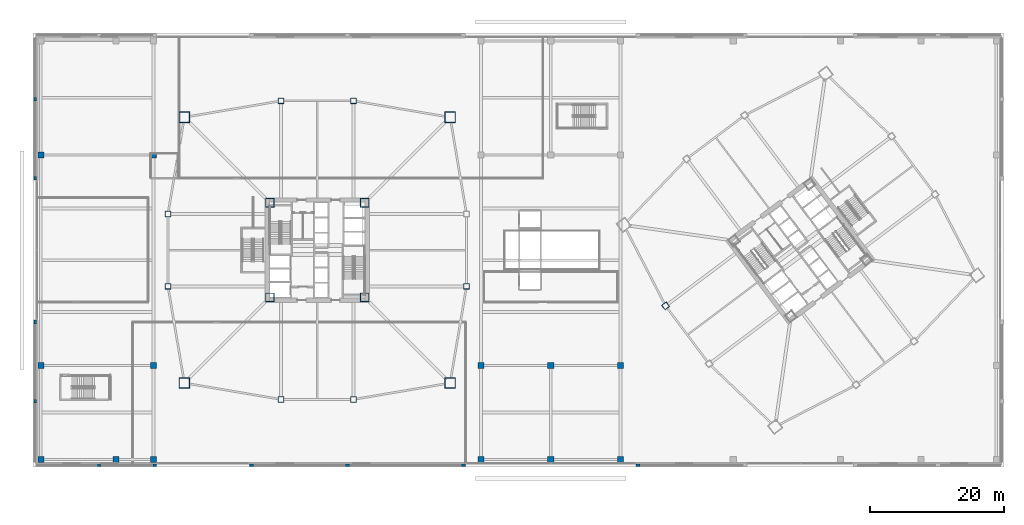
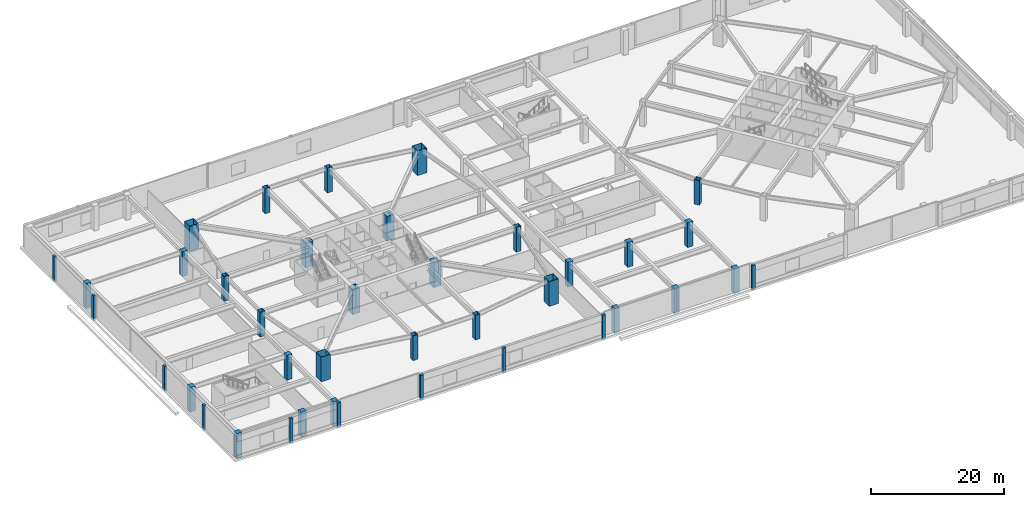
# One storey, part 1 of 44: 39 columns.
"""IFC4 building model written with IfcOpenShell, lengths in metres."""

from ifc_helpers import new_model, si_unit, direction, frame, origin, origin_2d, place, context, subcontext, project, spatial, rectangle, hollow_rectangle, extrude, material, material_profile, profile_set, type_object, element, save


model = new_model("IFC4")

# Units and contexts
model_context = context("Model", 3, precision=1e-05, world=origin(), true_north=direction((0.0, 1.0)))
body_context = subcontext(model_context, "Body", "Model", "MODEL_VIEW")
ifc_project = project(units=[si_unit("LENGTHUNIT", "METRE"), si_unit("AREAUNIT", "SQUARE_METRE"), si_unit("VOLUMEUNIT", "CUBIC_METRE"), si_unit("PLANEANGLEUNIT", "RADIAN"), si_unit("MASSUNIT", "GRAM", prefix="KILO")], contexts=[model_context])

# Site, building, storey
site_placement = place(None, origin())
site = spatial("IfcSite", under=ifc_project, at=site_placement, CompositionType="ELEMENT")
building_placement = place(site_placement, origin())
building = spatial("IfcBuilding", under=site, at=building_placement, Name="Tashvorn Skyway Center", CompositionType="ELEMENT")
storey_placement = place(building_placement, frame((0.0, 0.0, 5.39990234375)))
storey = spatial("IfcBuildingStorey", under=building, at=storey_placement, Name="L01", CompositionType="ELEMENT", Elevation=5.39990234375)

# Columns
ifc_material_1 = material(Name="Steel ASTM A572 Grade 50", Category="steel")
ifc_material_profile_1 = material_profile(ifc_material_1, hollow_rectangle(XDim=1.300048828125, YDim=1.300048828125, WallThickness=0.050048828125, at=origin_2d()), Name="BOX1300x1300x50")
ifc_profile_set_1 = profile_set([ifc_material_profile_1], Name="Steel ASTM A572 Grade 50")
column_type_1 = type_object("IfcColumnType", Name="COL-BOX1300x1300x50", PredefinedType="COLUMN", material=ifc_profile_set_1)
for number, where, z_axis, x_axis, name in (
    (1, (34.949951171875, 24.949951171875, 0.0), (0.0, 0.0, 1.0), (1.0, 0.0, 0.0), "Tower 1 L01 Core Corner Column CC-SW"),
    (2, (49.050048828125, 24.949951171875, 0.0), (0.0, 0.0, 1.0), (1.0, 0.0, 0.0), "Tower 1 L01 Core Corner Column CC-SE"),
    (3, (49.050048828125, 39.050048828125, 0.0), (0.0, 0.0, 1.0), (1.0, 0.0, 0.0), "Tower 1 L01 Core Corner Column CC-NE"),
    (4, (34.949951171875, 39.050048828125, 0.0), (0.0, 0.0, 1.0), (1.0, 0.0, 0.0), "Tower 1 L01 Core Corner Column CC-NW"),
):
    element("IfcColumn", number, at=place(storey_placement, frame(where, z_axis=z_axis, x_axis=x_axis)), inside=storey, type_object=column_type_1, Name=name, PredefinedType="COLUMN", context=body_context, shape_type="SweptSolid", body=[
        extrude(hollow_rectangle(XDim=1.300048828125, YDim=1.300048828125, WallThickness=0.050048828125, at=origin_2d()), origin(), (0.0, 0.0, 1.0), 4.5400390625),
    ])
ifc_material_profile_2 = material_profile(ifc_material_1, hollow_rectangle(XDim=1.60009765625, YDim=1.60009765625, WallThickness=0.06005859375, at=origin_2d()), Name="BOX1600x1600x60")
ifc_profile_set_2 = profile_set([ifc_material_profile_2], Name="Steel ASTM A572 Grade 50")
column_type_2 = type_object("IfcColumnType", Name="COL-BOX1600x1600x60", PredefinedType="COLUMN", material=ifc_profile_set_2)
for number, where, z_axis, x_axis, name in (
    (5, (22.199951171875, 12.199951171875, 0.0), (0.0, 0.0, 1.0), (1.0, 0.0, 0.0), "Tower 1 L01 Mega-Column MC-SW"),
    (6, (61.800048828125, 12.199951171875, 0.0), (0.0, 0.0, 1.0), (1.0, 0.0, 0.0), "Tower 1 L01 Mega-Column MC-SE"),
    (7, (61.800048828125, 51.800048828125, 0.0), (0.0, 0.0, 1.0), (1.0, 0.0, 0.0), "Tower 1 L01 Mega-Column MC-NE"),
    (8, (22.199951171875, 51.800048828125, 0.0), (0.0, 0.0, 1.0), (1.0, 0.0, 0.0), "Tower 1 L01 Mega-Column MC-NW"),
):
    element("IfcColumn", number, at=place(storey_placement, frame(where, z_axis=z_axis, x_axis=x_axis)), inside=storey, type_object=column_type_2, Name=name, PredefinedType="COLUMN", context=body_context, shape_type="SweptSolid", body=[
        extrude(hollow_rectangle(XDim=1.60009765625, YDim=1.60009765625, WallThickness=0.06005859375, at=origin_2d()), origin(), (0.0, 0.0, 1.0), 4.5400390625),
    ])
ifc_material_profile_3 = material_profile(ifc_material_1, hollow_rectangle(XDim=0.85009765625, YDim=0.85009765625, WallThickness=0.034912109375, at=origin_2d()), Name="BOX850x850x35")
ifc_profile_set_3 = profile_set([ifc_material_profile_3], Name="Steel ASTM A572 Grade 50")
column_type_3 = type_object("IfcColumnType", Name="COL-BOX850x850x35", PredefinedType="COLUMN", material=ifc_profile_set_3)
for number, where, z_axis, x_axis, name in (
    (9, (36.60009765625, 9.75, 0.0), (0.0, 0.0, 1.0), (1.0, 0.0, 0.0), "Tower 1 L01 Perimeter Column FC-S1"),
    (10, (47.39990234375, 9.75, 0.0), (0.0, 0.0, 1.0), (1.0, 0.0, 0.0), "Tower 1 L01 Perimeter Column FC-S2"),
    (11, (64.25, 26.60009765625, 0.0), (0.0, 0.0, 1.0), (1.0, 0.0, 0.0), "Tower 1 L01 Perimeter Column FC-E1"),
    (12, (47.39990234375, 54.25, 0.0), (0.0, 0.0, 1.0), (1.0, 0.0, 0.0), "Tower 1 L01 Perimeter Column FC-N1"),
    (13, (36.60009765625, 54.25, 0.0), (0.0, 0.0, 1.0), (1.0, 0.0, 0.0), "Tower 1 L01 Perimeter Column FC-N2"),
    (14, (19.75, 37.39990234375, 0.0), (0.0, 0.0, 1.0), (1.0, 0.0, 0.0), "Tower 1 L01 Perimeter Column FC-W1"),
    (15, (19.75, 26.60009765625, 0.0), (0.0, 0.0, 1.0), (1.0, 0.0, 0.0), "Tower 1 L01 Perimeter Column FC-W2"),
    (16, (93.919921875, 23.68994140625, 0.0), (0.0, 0.0, 1.0), (0.799999996291, 0.600000004945, 0.0), "Tower 2 L01 Perimeter Column FC-W1"),
):
    element("IfcColumn", number, at=place(storey_placement, frame(where, z_axis=z_axis, x_axis=x_axis)), inside=storey, type_object=column_type_3, Name=name, PredefinedType="COLUMN", context=body_context, shape_type="SweptSolid", body=[
        extrude(hollow_rectangle(XDim=0.85009765625, YDim=0.85009765625, WallThickness=0.034912109375, at=origin_2d()), origin(), (0.0, 0.0, 1.0), 4.5400390625),
    ])
ifc_material_2 = material(Name="Concrete C50/60", Category="concrete")
ifc_material_profile_4 = material_profile(ifc_material_2, rectangle(XDim=0.89990234375, YDim=0.89990234375, at=origin_2d()), Name="RC900x900")
ifc_profile_set_4 = profile_set([ifc_material_profile_4], Name="Concrete C50/60")
column_type_4 = type_object("IfcColumnType", Name="COL-RC900x900", PredefinedType="COLUMN", material=ifc_profile_set_4)
for number, where, z_axis, x_axis, name in (
    (17, (0.800048828125, 0.800048828125, 0.0), (0.0, 0.0, 1.0), (1.0, 0.0, 0.0), "L01 Podium Column PC-01-1"),
    (18, (12.0, 0.800048828125, 0.0), (0.0, 0.0, 1.0), (1.0, 0.0, 0.0), "L01 Podium Column PC-02-1"),
    (19, (17.60009765625, 0.800048828125, 0.0), (0.0, 0.0, 1.0), (1.0, 0.0, 0.0), "L01 Podium Column PC-03-1"),
    (20, (66.39990234375, 0.800048828125, 0.0), (0.0, 0.0, 1.0), (1.0, 0.0, 0.0), "L01 Podium Column PC-04-1"),
    (21, (76.800048828125, 0.800048828125, 0.0), (0.0, 0.0, 1.0), (1.0, 0.0, 0.0), "L01 Podium Column PC-05-1"),
    (22, (87.199951171875, 0.800048828125, 0.0), (0.0, 0.0, 1.0), (1.0, 0.0, 0.0), "L01 Podium Column PC-06-1"),
    (23, (0.800048828125, 14.800048828125, 0.0), (0.0, 0.0, 1.0), (1.0, 0.0, 0.0), "L01 Podium Column PIC-01-1"),
    (24, (0.800048828125, 46.199951171875, 0.0), (0.0, 0.0, 1.0), (1.0, 0.0, 0.0), "L01 Podium Column PIC-01-2"),
    (25, (17.60009765625, 14.800048828125, 0.0), (0.0, 0.0, 1.0), (1.0, 0.0, 0.0), "L01 Podium Column PIC-02-1"),
    (26, (17.60009765625, 46.199951171875, 0.0), (0.0, 0.0, 1.0), (1.0, 0.0, 0.0), "L01 Podium Column PIC-02-2"),
    (27, (66.39990234375, 14.800048828125, 0.0), (0.0, 0.0, 1.0), (1.0, 0.0, 0.0), "L01 Podium Column PIC-03-1"),
    (28, (76.800048828125, 14.800048828125, 0.0), (0.0, 0.0, 1.0), (1.0, 0.0, 0.0), "L01 Podium Column PIC-04-1"),
    (29, (87.199951171875, 14.800048828125, 0.0), (0.0, 0.0, 1.0), (1.0, 0.0, 0.0), "L01 Podium Column PIC-05-1"),
):
    element("IfcColumn", number, at=place(storey_placement, frame(where, z_axis=z_axis, x_axis=x_axis)), inside=storey, type_object=column_type_4, Name=name, PredefinedType="COLUMN", context=body_context, shape_type="SweptSolid", body=[
        extrude(rectangle(XDim=0.89990234375, YDim=0.89990234375, at=origin_2d()), origin(), (0.0, 0.0, 1.0), 4.5400390625),
    ])
ifc_material_3 = material(Name="Precast concrete C40/50", Category="concrete")
ifc_material_profile_5 = material_profile(ifc_material_3, rectangle(XDim=0.550048828125, YDim=0.39990234375, at=origin_2d()), Name="RCPIL550x400")
ifc_profile_set_5 = profile_set([ifc_material_profile_5], Name="Precast concrete C40/50")
column_type_5 = type_object("IfcColumnType", Name="PIL-RCPIL550x400", PredefinedType="PILASTER", material=ifc_profile_set_5)
for number, where, z_axis, x_axis, name in (
    (30, (9.5, -0.050048828125, 0.0), (0.0, 0.0, 1.0), (1.0, 0.0, 0.0), "L01 South Terracotta Colonnade Pilaster 1"),
    (31, (17.800048828125, -0.050048828125, 0.0), (0.0, 0.0, 1.0), (1.0, 0.0, 0.0), "L01 South Terracotta Colonnade Pilaster 2"),
    (32, (32.199951171875, -0.050048828125, 0.0), (0.0, 0.0, 1.0), (1.0, 0.0, 0.0), "L01 South Terracotta Colonnade Pilaster 3"),
    (33, (46.5, -0.050048828125, 0.0), (0.0, 0.0, 1.0), (1.0, 0.0, 0.0), "L01 South Terracotta Colonnade Pilaster 4"),
    (34, (63.800048828125, -0.050048828125, 0.0), (0.0, 0.0, 1.0), (1.0, 0.0, 0.0), "L01 South Terracotta Colonnade Pilaster 5"),
    (35, (89.800048828125, -0.050048828125, 0.0), (0.0, 0.0, 1.0), (1.0, 0.0, 0.0), "L01 South Terracotta Colonnade Pilaster 6"),
    (36, (-0.050048828125, 9.5, 0.0), (0.0, 0.0, 1.0), (0.0, 1.0, 0.0), "L01 West Terracotta Colonnade Pilaster 1"),
    (37, (-0.050048828125, 21.300048828125, 0.0), (0.0, 0.0, 1.0), (0.0, 1.0, 0.0), "L01 West Terracotta Colonnade Pilaster 2"),
    (38, (-0.050048828125, 42.699951171875, 0.0), (0.0, 0.0, 1.0), (0.0, 1.0, 0.0), "L01 West Terracotta Colonnade Pilaster 3"),
    (39, (-0.050048828125, 54.5, 0.0), (0.0, 0.0, 1.0), (0.0, 1.0, 0.0), "L01 West Terracotta Colonnade Pilaster 4"),
):
    element("IfcColumn", number, at=place(storey_placement, frame(where, z_axis=z_axis, x_axis=x_axis)), inside=storey, type_object=column_type_5, Name=name, PredefinedType="PILASTER", context=body_context, shape_type="SweptSolid", body=[
        extrude(rectangle(XDim=0.550048828125, YDim=0.39990234375, at=origin_2d()), origin(), (0.0, 0.0, 1.0), 4.5400390625),
    ])

save(model, "model.ifc")
